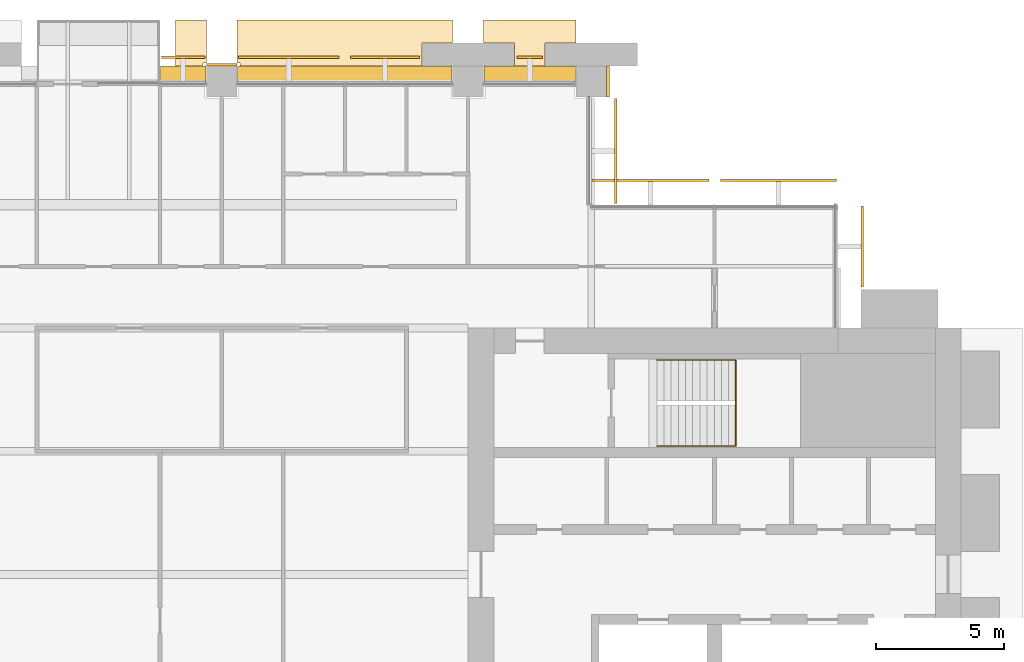
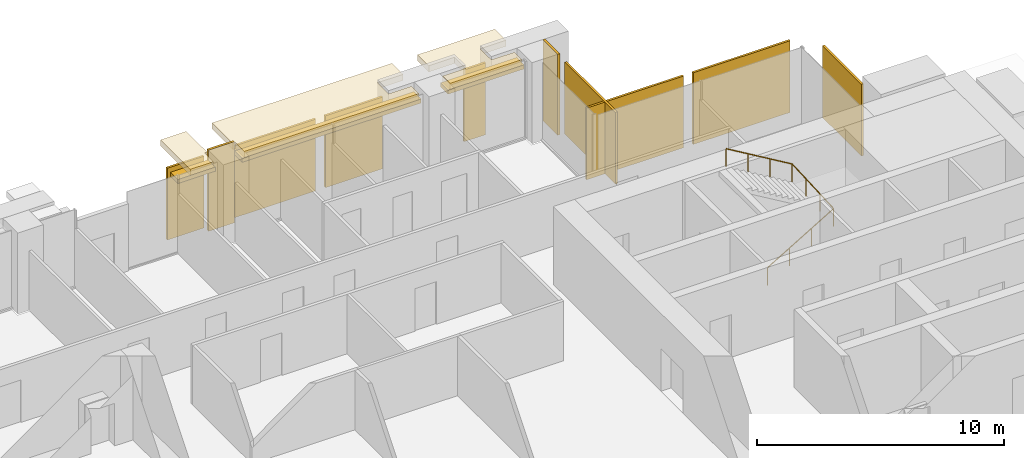
# One storey, part 15 of 15: 13 coverings, 3 shading devices, 1 railing.
"""IFC4 building model written with IfcOpenShell, lengths in metres."""

from ifc_helpers import new_model, si_unit, direction, frame, origin, origin_2d, place, context, subcontext, project, spatial, polyline, rectangle, circle, outline, extrude, material, layer, layer_set, type_object, element, save


model = new_model("IFC4")

# Units and contexts
model_context = context("Model", 3, precision=1e-05, world=origin(), true_north=direction((0.0, 1.0)))
body_context = subcontext(model_context, "Body", "Model", "MODEL_VIEW")
ifc_project = project(units=[si_unit("LENGTHUNIT", "METRE"), si_unit("AREAUNIT", "SQUARE_METRE"), si_unit("VOLUMEUNIT", "CUBIC_METRE"), si_unit("PLANEANGLEUNIT", "RADIAN"), si_unit("MASSUNIT", "GRAM", prefix="KILO")], contexts=[model_context])

# Site, building, storey
site_placement = place(None, origin())
site = spatial("IfcSite", under=ifc_project, at=site_placement, CompositionType="ELEMENT")
building_placement = place(site_placement, origin())
building = spatial("IfcBuilding", under=site, at=building_placement, Name="Baori Bourse Tower", CompositionType="ELEMENT")
storey_placement = place(building_placement, frame((0.0, 0.0, 104.10009765625)))
storey = spatial("IfcBuildingStorey", under=building, at=storey_placement, Name="L21", CompositionType="ELEMENT", Elevation=104.10009765625)

# Coverings
ifc_material_1 = material(Name="Pale anodised aluminium", Category="aluminium")
covering_type_1 = type_object("IfcCoveringType", Name="BD1 Pale metal band", PredefinedType="CLADDING", material=ifc_material_1)
covering_1_placement = place(storey_placement, frame((0.0, 0.0, 3.539794921875)))
element("IfcCovering", 1, at=covering_1_placement, inside=storey, type_object=covering_type_1, Name="Pale projecting band L21 2", PredefinedType="CLADDING", context=body_context, shape_type="SweptSolid", body=[
    extrude(outline(polyline([(39.1201171875, 48.0), (42.47998046875, 48.0), (42.47998046875, 48.60009765625), (41.39990234375, 48.60009765625), (41.39990234375, 49.5), (42.60009765625, 49.5), (42.60009765625, 50.39990234375), (39.0, 50.39990234375), (39.0, 49.5), (40.199951171875, 49.5), (40.199951171875, 48.60009765625), (39.1201171875, 48.60009765625), (39.1201171875, 48.0)])), origin(), (0.0, 0.0, 1.0), 0.300048828125),
])
covering_2_placement = place(storey_placement, frame((0.0, 0.0, 3.539794921875)))
element("IfcCovering", 2, at=covering_2_placement, inside=storey, type_object=covering_type_1, Name="Pale projecting band L21 3", PredefinedType="CLADDING", context=body_context, shape_type="SweptSolid", body=[
    extrude(outline(polyline([(29.52001953125, 48.0), (37.679931640625, 48.0), (37.679931640625, 48.60009765625), (36.60009765625, 48.60009765625), (36.60009765625, 49.5), (37.800048828125, 49.5), (37.800048828125, 50.39990234375), (29.39990234375, 50.39990234375), (29.39990234375, 48.719970703125), (29.52001953125, 48.719970703125), (29.52001953125, 48.0)])), origin(), (0.0, 0.0, 1.0), 0.300048828125),
])
covering_3_placement = place(storey_placement, frame((0.0, 0.0, 3.539794921875)))
element("IfcCovering", 3, at=covering_3_placement, inside=storey, type_object=covering_type_1, Name="Pale projecting band L21 4", PredefinedType="CLADDING", context=body_context, shape_type="SweptSolid", body=[
    extrude(outline(polyline([(27.0, 48.0), (28.080078125, 48.0), (28.080078125, 48.719970703125), (28.199951171875, 48.719970703125), (28.199951171875, 50.39990234375), (27.0, 50.39990234375), (27.0, 48.0)])), origin(), (0.0, 0.0, 1.0), 0.300048828125),
])

# Shading devices
ifc_material_2 = material(Name="Concrete f'c 40 MPa", Category="concrete")
ifc_layer_1 = layer(ifc_material_2, 0.199951171875)
ifc_layer_set_1 = layer_set([ifc_layer_1], Name="BS1 Brise-soleil ledge")
shading_device_type = type_object("IfcShadingDeviceType", Name="BS1 Brise-soleil ledge", PredefinedType="USERDEFINED", material=ifc_layer_set_1)
shading_device_1_placement = place(storey_placement, frame((40.800048828125, 48.300048828125, 3.33984375), z_axis=(0.0, 0.0, 1.0), x_axis=(-1.0, 0.0, 0.0)))
element("IfcShadingDevice", 4, at=shading_device_1_placement, inside=storey, type_object=shading_device_type, Name="Brise-soleil ledge L21 1", ObjectType="BRISE SOLEIL", PredefinedType="USERDEFINED", context=body_context, shape_type="SweptSolid", body=[
    extrude(rectangle(XDim=3.56005859375, YDim=0.60009765625, at=origin_2d()), origin(), (0.0, 0.0, 1.0), 0.199951171875),
])
shading_device_2_placement = place(storey_placement, frame((33.60009765625, 48.300048828125, 3.33984375), z_axis=(0.0, 0.0, 1.0), x_axis=(-1.0, 0.0, 0.0)))
element("IfcShadingDevice", 5, at=shading_device_2_placement, inside=storey, type_object=shading_device_type, Name="Brise-soleil ledge L21 2", ObjectType="BRISE SOLEIL", PredefinedType="USERDEFINED", context=body_context, shape_type="SweptSolid", body=[
    extrude(rectangle(XDim=8.360107421875, YDim=0.60009765625, at=origin_2d()), origin(), (0.0, 0.0, 1.0), 0.199951171875),
])
shading_device_3_placement = place(storey_placement, frame((27.300048828125, 48.300048828125, 3.33984375), z_axis=(0.0, 0.0, 1.0), x_axis=(-1.0, 0.0, 0.0)))
element("IfcShadingDevice", 6, at=shading_device_3_placement, inside=storey, type_object=shading_device_type, Name="Brise-soleil ledge L21 3", ObjectType="BRISE SOLEIL", PredefinedType="USERDEFINED", context=body_context, shape_type="SweptSolid", body=[
    extrude(rectangle(XDim=1.760009765625, YDim=0.60009765625, at=origin_2d()), origin(), (0.0, 0.0, 1.0), 0.199951171875),
])

# Railing
ifc_material_3 = material(Name="Powder-coated steel balustrade", Category="steel")
railing_type = type_object("IfcRailingType", Name="Core stair handrail", PredefinedType="HANDRAIL", material=ifc_material_3)
railing_placement = place(storey_placement, frame((45.75, 33.800048828125, 0.16650390625)))
element("IfcRailing", 7, at=railing_placement, inside=storey, type_object=railing_type, Name="L21 ST4 stair handrail 1", PredefinedType="HANDRAIL", context=body_context, shape_type="SweptSolid", body=[
    extrude(circle(Radius=0.02392578125, at=origin_2d()), frame((0.0, 0.0, 0.8759765625), z_axis=(0.85927862911, 0.0, 0.511507807912), x_axis=(0.0, 1.0, 0.0)), (0.0, 0.0, 1.0), 3.58447265625),
    extrude(circle(Radius=0.02392578125, at=origin_2d()), frame((3.080078125, 0.0, 2.70947265625), z_axis=(0.0, 0.998766999029, 0.049643545903), x_axis=(-1.0, 0.0, 0.0)), (0.0, 0.0, 1.0), 3.35400390625),
    extrude(circle(Radius=0.02392578125, at=origin_2d()), frame((3.080078125, 3.349853515625, 2.8759765625), z_axis=(-0.85927862911, 0.0, 0.511507807912), x_axis=(0.0, -1.0, 0.0)), (0.0, 0.0, 1.0), 3.58447265625),
    extrude(circle(Radius=0.02099609375, at=origin_2d()), origin(), (0.0, 0.0, 1.0), 0.851806640625),
    extrude(circle(Radius=0.02099609375, at=origin_2d()), frame((1.026611328125, 0.0, 0.611083984375)), (0.0, 0.0, 1.0), 0.851806640625),
    extrude(circle(Radius=0.02099609375, at=origin_2d()), frame((2.053466796875, 0.0, 1.222412109375)), (0.0, 0.0, 1.0), 0.851806640625),
    extrude(circle(Radius=0.02099609375, at=origin_2d()), frame((3.080078125, 0.0, 1.83349609375)), (0.0, 0.0, 1.0), 0.851806640625),
    extrude(circle(Radius=0.02099609375, at=origin_2d()), frame((3.080078125, 1.11669921875, 1.888916015625)), (0.0, 0.0, 1.0), 0.851806640625),
    extrude(circle(Radius=0.02099609375, at=origin_2d()), frame((3.080078125, 2.233154296875, 1.944580078125)), (0.0, 0.0, 1.0), 0.851806640625),
    extrude(circle(Radius=0.02099609375, at=origin_2d()), frame((3.080078125, 3.349853515625, 2.0)), (0.0, 0.0, 1.0), 0.851806640625),
    extrude(circle(Radius=0.02099609375, at=origin_2d()), frame((2.053466796875, 3.349853515625, 2.611083984375)), (0.0, 0.0, 1.0), 0.851806640625),
    extrude(circle(Radius=0.02099609375, at=origin_2d()), frame((1.026611328125, 3.349853515625, 3.222412109375)), (0.0, 0.0, 1.0), 0.851806640625),
    extrude(circle(Radius=0.02099609375, at=origin_2d()), frame((0.0, 3.349853515625, 3.83349609375)), (0.0, 0.0, 1.0), 0.851806640625),
])

# Coverings
ifc_material_4 = material(Name="Pale anodised aluminium", Category="aluminium")
ifc_layer_2 = layer(ifc_material_4, 0.10009765625)
ifc_layer_set_2 = layer_set([ifc_layer_2], Name="OS3 Outer skin screen panel")
covering_type_2 = type_object("IfcCoveringType", Name="OS3 Outer skin screen panel", PredefinedType="CLADDING", material=ifc_layer_set_2)
covering_4_placement = place(storey_placement, origin())
element("IfcCovering", 8, at=covering_4_placement, inside=storey, type_object=covering_type_2, Name="Outer skin screen L21 1", PredefinedType="CLADDING", context=body_context, shape_type="SweptSolid", body=[
    extrude(outline(polyline([(53.699951171875, 43.14990234375), (53.699951171875, 40.0), (53.800048828125, 40.0), (53.800048828125, 43.14990234375), (53.699951171875, 43.14990234375)])), origin(), (0.0, 0.0, 1.0), 3.539794921875),
])
covering_5_placement = place(storey_placement, origin())
element("IfcCovering", 9, at=covering_5_placement, inside=storey, type_object=covering_type_2, Name="Outer skin screen L21 2", PredefinedType="CLADDING", context=body_context, shape_type="SweptSolid", body=[
    extrude(outline(polyline([(48.22509765625, 44.10009765625), (52.75, 44.10009765625), (52.75, 44.199951171875), (48.22509765625, 44.199951171875), (48.22509765625, 44.10009765625)])), origin(), (0.0, 0.0, 1.0), 3.539794921875),
])
covering_6_placement = place(storey_placement, origin())
element("IfcCovering", 10, at=covering_6_placement, inside=storey, type_object=covering_type_2, Name="Outer skin screen L21 3", PredefinedType="CLADDING", context=body_context, shape_type="SweptSolid", body=[
    extrude(outline(polyline([(43.25, 44.10009765625), (47.77490234375, 44.10009765625), (47.77490234375, 44.199951171875), (43.25, 44.199951171875), (43.25, 44.10009765625)])), origin(), (0.0, 0.0, 1.0), 3.539794921875),
])
covering_7_placement = place(storey_placement, origin())
element("IfcCovering", 11, at=covering_7_placement, inside=storey, type_object=covering_type_2, Name="Outer skin screen L21 4", PredefinedType="CLADDING", context=body_context, shape_type="SweptSolid", body=[
    extrude(outline(polyline([(44.10009765625, 47.35009765625), (44.10009765625, 43.25), (44.199951171875, 43.25), (44.199951171875, 47.35009765625), (44.10009765625, 47.35009765625)])), origin(), (0.0, 0.0, 1.0), 3.539794921875),
])
covering_8_placement = place(storey_placement, origin())
element("IfcCovering", 12, at=covering_8_placement, inside=storey, type_object=covering_type_2, Name="Outer skin screen L21 5", PredefinedType="CLADDING", context=body_context, shape_type="SweptSolid", body=[
    extrude(outline(polyline([(40.300048828125, 48.89990234375), (41.300048828125, 48.89990234375), (41.300048828125, 49.0), (40.300048828125, 49.0), (40.300048828125, 48.89990234375)])), origin(), (0.0, 0.0, 1.0), 3.539794921875),
])
covering_9_placement = place(storey_placement, origin())
element("IfcCovering", 13, at=covering_9_placement, inside=storey, type_object=covering_type_2, Name="Outer skin screen L21 6", PredefinedType="CLADDING", context=body_context, shape_type="SweptSolid", body=[
    extrude(outline(polyline([(33.824951171875, 48.89990234375), (36.5, 48.89990234375), (36.5, 49.0), (33.824951171875, 49.0), (33.824951171875, 48.89990234375)])), origin(), (0.0, 0.0, 1.0), 3.539794921875),
])
covering_10_placement = place(storey_placement, origin())
element("IfcCovering", 14, at=covering_10_placement, inside=storey, type_object=covering_type_2, Name="Outer skin screen L21 7", PredefinedType="CLADDING", context=body_context, shape_type="SweptSolid", body=[
    extrude(outline(polyline([(29.449951171875, 48.89990234375), (33.375, 48.89990234375), (33.375, 49.0), (29.449951171875, 49.0), (29.449951171875, 48.89990234375)])), origin(), (0.0, 0.0, 1.0), 3.539794921875),
])
covering_11_placement = place(storey_placement, origin())
element("IfcCovering", 15, at=covering_11_placement, inside=storey, type_object=covering_type_2, Name="Outer skin screen L21 8", PredefinedType="CLADDING", context=body_context, shape_type="SweptSolid", body=[
    extrude(outline(polyline([(26.449951171875, 48.89990234375), (28.14990234375, 48.89990234375), (28.14990234375, 49.0), (26.449951171875, 49.0), (26.449951171875, 48.89990234375)])), origin(), (0.0, 0.0, 1.0), 3.539794921875),
])
ifc_material_5 = material(Name="Face brick", Category="masonry")
ifc_layer_3 = layer(ifc_material_5, 0.110107421875)
ifc_layer_set_3 = layer_set([ifc_layer_3], Name="PC1 Brick pier facing")
covering_type_3 = type_object("IfcCoveringType", Name="PC1 Brick pier facing", PredefinedType="CLADDING", material=ifc_layer_set_3)
covering_12_placement = place(storey_placement, frame((28.800048828125, 48.655029296875, 0.0), z_axis=(0.0, 0.0, 1.0), x_axis=(1.0, 0.0, 0.0)))
element("IfcCovering", 16, at=covering_12_placement, inside=storey, type_object=covering_type_3, Name="Brick pier facing L21 5", PredefinedType="CLADDING", context=body_context, shape_type="SweptSolid", body=[
    extrude(rectangle(XDim=1.199951171875, YDim=0.110107421875, at=origin_2d()), origin(), (0.0, 0.0, 1.0), 4.0),
])
covering_13_placement = place(storey_placement, frame((43.85498046875, 48.0, 0.0), z_axis=(0.0, 0.0, 1.0), x_axis=(1.0, 0.0, 0.0)))
element("IfcCovering", 17, at=covering_13_placement, inside=storey, type_object=covering_type_3, Name="Brick pier facing L21 6", PredefinedType="CLADDING", context=body_context, shape_type="SweptSolid", body=[
    extrude(rectangle(XDim=0.110107421875, YDim=1.199951171875, at=origin_2d()), origin(), (0.0, 0.0, 1.0), 4.0),
])

save(model, "model.ifc")
